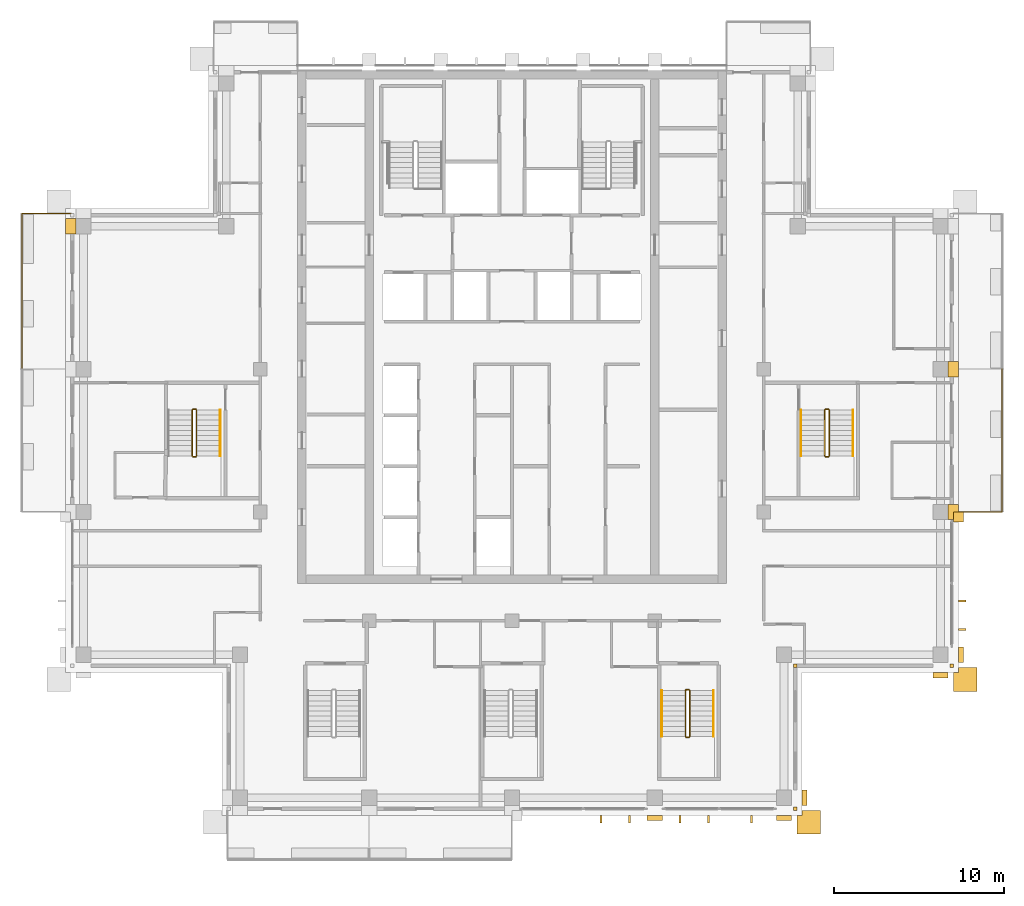
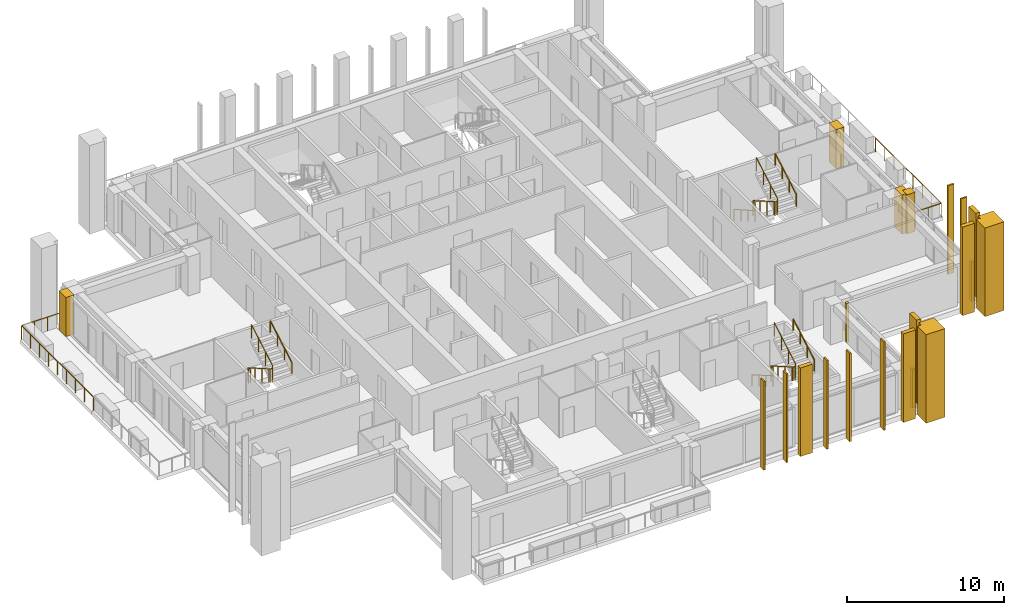
# One storey, part 14 of 16: 21 coverings, 10 railings.
"""IFC4 building model written with IfcOpenShell, lengths in metres."""

import ifcopenshell
import ifcopenshell.guid

model = None  # the IFC model being written
_history = None  # IfcOwnerHistory: only IFC2X3 demands one
_inside = {}  # id of a spatial element -> (the spatial element, [elements in it])
_under = {}  # id of a project, library or spatial element -> (it, [spatial elements below it])
_declared = {}  # id of a project -> (the project, [libraries it declares])
_typed = {}  # id of a type object -> (the type object, [elements of that type])
_made_of = {}  # id of a material, layer set ... -> (it, [elements and type objects made of it])


def new_model(schema):
    """Start an empty IFC model of exactly this schema.

    Asked for "IFC4X3", IfcOpenShell would pick the latest addendum, in which some entities
    have other attributes; the version numbers below select the first issue.
    IFC2X3 requires an IfcOwnerHistory on every rooted entity: one is made here for all.
    """
    global model, _history
    if schema == "IFC4X3":
        model = ifcopenshell.file(schema_version=(4, 3, 0, 0))
    else:
        model = ifcopenshell.file(schema=schema)
    _inside.clear()
    _under.clear()
    _declared.clear()
    _typed.clear()
    _made_of.clear()
    _history = None
    if model.schema == "IFC2X3":
        org = make("IfcOrganization", Name="unknown")
        user = make(
            "IfcPersonAndOrganization",
            ThePerson=make("IfcPerson", FamilyName="unknown"),
            TheOrganization=org,
        )
        app = make(
            "IfcApplication",
            ApplicationDeveloper=org,
            Version="unknown",
            ApplicationFullName="unknown",
            ApplicationIdentifier="unknown",
        )
        _history = make(
            "IfcOwnerHistory",
            OwningUser=user,
            OwningApplication=app,
            ChangeAction="ADDED",
            CreationDate=0,
        )
    return model


def make(cls, **values):
    """One entity of the class cls with the attributes given. An attribute that is None is left unset."""
    return model.create_entity(
        cls, **{name: value for name, value in values.items() if value is not None}
    )


def rooted(cls, **values):
    """An entity with a GlobalId (a new one), such as an element, a storey or a relation."""
    return make(cls, GlobalId=ifcopenshell.guid.new(), OwnerHistory=_history, **values)


def si_unit(unit_type, name, prefix=None):
    """IfcSIUnit, for example si_unit("LENGTHUNIT", "METRE", prefix="MILLI")."""
    return make("IfcSIUnit", UnitType=unit_type, Prefix=prefix, Name=name)


def assignment(units):
    """IfcUnitAssignment: the units of a project."""
    return None if units is None else make("IfcUnitAssignment", Units=units)


def point(xyz):
    """IfcCartesianPoint."""
    return None if xyz is None else make("IfcCartesianPoint", Coordinates=xyz)


def direction(xyz):
    """IfcDirection."""
    return None if xyz is None else make("IfcDirection", DirectionRatios=xyz)


def frame(location, z_axis=None, x_axis=None):
    """IfcAxis2Placement3D, a coordinate frame: its origin and axes. An axis left out is left unset."""
    return make(
        "IfcAxis2Placement3D",
        Location=point(location),
        Axis=direction(z_axis),
        RefDirection=direction(x_axis),
    )


def frame_2d(location, x_axis=None):
    """IfcAxis2Placement2D, a coordinate frame in the plane: its origin and x axis."""
    return make(
        "IfcAxis2Placement2D", Location=point(location), RefDirection=direction(x_axis)
    )


def origin():
    """The frame at (0, 0, 0) with its axes left unset."""
    return frame((0.0, 0.0, 0.0))


def origin_2d():
    """The frame at (0, 0) in the plane with its x axis left unset."""
    return frame_2d((0.0, 0.0))


def place(relative_to, where):
    """IfcLocalPlacement: puts the frame where relative to a parent placement (None: the world)."""
    return make(
        "IfcLocalPlacement", PlacementRelTo=relative_to, RelativePlacement=where
    )


def context(
    kind, dimensions, precision=None, world=None, true_north=None, identifier=None
):
    """IfcGeometricRepresentationContext, for example the 3D "Model" context."""
    return make(
        "IfcGeometricRepresentationContext",
        ContextIdentifier=identifier,
        ContextType=kind,
        CoordinateSpaceDimension=dimensions,
        Precision=precision,
        WorldCoordinateSystem=world,
        TrueNorth=true_north,
    )


def subcontext(parent, identifier, kind, view, scale=None):
    """IfcGeometricRepresentationSubContext, for example "Body" below "Model"."""
    return make(
        "IfcGeometricRepresentationSubContext",
        ContextIdentifier=identifier,
        ContextType=kind,
        ParentContext=parent,
        TargetScale=scale,
        TargetView=view,
    )


def project(units=None, contexts=None):
    """IfcProject with its units and contexts."""
    return rooted(
        "IfcProject",
        Name="project",
        RepresentationContexts=contexts,
        UnitsInContext=assignment(units),
    )


def spatial(cls, under=None, at=None, **own):
    """A site, building, storey or space (cls), placed at a placement, below another one or the project."""
    s = rooted(cls, ObjectPlacement=at, **own)
    if under is not None:
        _under.setdefault(under.id(), (under, []))[1].append(s)
    return s


def polyline(points):
    """IfcPolyline through the points."""
    return make("IfcPolyline", Points=[point(p) for p in points])


def profile(cls, at=None, kind="AREA", **sizes):
    """A parametric profile (cls). Its sizes go by their IFC names, for example OverallWidth=200.0."""
    return make(cls, ProfileType=kind, Position=at, **sizes)


def rectangle(**sizes):
    """IfcRectangleProfileDef."""
    return profile("IfcRectangleProfileDef", **sizes)


def outline(outer, holes=None, kind="AREA"):
    """IfcArbitraryClosedProfileDef: a profile drawn as a closed curve; with holes, ...WithVoids."""
    if holes is None:
        return make("IfcArbitraryClosedProfileDef", ProfileType=kind, OuterCurve=outer)
    return make(
        "IfcArbitraryProfileDefWithVoids",
        ProfileType=kind,
        OuterCurve=outer,
        InnerCurves=holes,
    )


def extrude(swept, where, along, depth):
    """IfcExtrudedAreaSolid: the profile swept, set in the frame where, extruded along a direction by depth."""
    return make(
        "IfcExtrudedAreaSolid",
        SweptArea=swept,
        Position=where,
        ExtrudedDirection=direction(along),
        Depth=depth,
    )


def shape(context_of_items, identifier, shape_type, items):
    """IfcShapeRepresentation: the items that make up one representation, for example the "Body"."""
    return make(
        "IfcShapeRepresentation",
        ContextOfItems=context_of_items,
        RepresentationIdentifier=identifier,
        RepresentationType=shape_type,
        Items=items,
    )


def material(Name=None, Category=None):
    """IfcMaterial."""
    return make("IfcMaterial", Name=Name, Category=Category)


def layer(
    of_material, thickness, ventilated=None, Name=None, Category=None, Priority=None
):
    """IfcMaterialLayer: one layer of a wall or slab, of a material (None: an air gap)."""
    return make(
        "IfcMaterialLayer",
        Material=of_material,
        LayerThickness=thickness,
        IsVentilated=ventilated,
        Name=Name,
        Category=Category,
        Priority=Priority,
    )


def layer_set(layers, Name=None):
    """IfcMaterialLayerSet."""
    return make("IfcMaterialLayerSet", MaterialLayers=layers, LayerSetName=Name)


def made_of(thing, what):
    """Note that an element or type object is made of a material, layer set ...; save() writes the relation."""
    if what is not None:
        _made_of.setdefault(what.id(), (what, []))[1].append(thing)
    return thing


def type_object(cls, material=None, **own):
    """A type object (cls), such as IfcWallType, which elements share."""
    return made_of(rooted(cls, **own), material)


def element(
    cls,
    number,
    at=None,
    inside=None,
    cuts=None,
    type_object=None,
    material=None,
    context=None,
    identifier="Body",
    shape_type=None,
    held_by="IfcProductDefinitionShape",
    body=None,
    shapes=None,
    **own,
):
    """One element of the class cls, such as IfcWall. Its Tag is "e" and its number.

    at: its placement. inside: the storey or other place that contains it. cuts: it is an
    opening in that element (IfcRelVoidsElement). A single representation is given by context,
    identifier, shape_type and body (its items); several are given by shapes. held_by: the class
    of the entity that holds the representations. save() writes the other relations.
    """
    e = rooted(cls, Tag="e%d" % number, ObjectPlacement=at, **own)
    if body is not None:
        shapes = [shape(context, identifier, shape_type, body)]
    if shapes is not None:
        e.Representation = make(held_by, Representations=shapes)
    if inside is not None:
        _inside.setdefault(inside.id(), (inside, []))[1].append(e)
    if cuts is not None:
        rooted(
            "IfcRelVoidsElement", RelatingBuildingElement=cuts, RelatedOpeningElement=e
        )
    if type_object is not None:
        _typed.setdefault(type_object.id(), (type_object, []))[1].append(e)
    return made_of(e, material)


def aggregate(whole, parts):
    """IfcRelAggregates: a whole, such as a stair, and the parts it consists of."""
    return rooted("IfcRelAggregates", RelatingObject=whole, RelatedObjects=parts)


def save(model, path):
    """Write the relations noted so far, then the file.

    IfcRelAggregates (storeys below a building ...), IfcRelContainedInSpatialStructure (elements
    in a storey), IfcRelDefinesByType, IfcRelAssociatesMaterial and IfcRelDeclares: one each for
    every whole, place, type object, material and project.
    """
    for whole, parts in _under.values():
        aggregate(whole, parts)
    for where, things in _inside.values():
        rooted(
            "IfcRelContainedInSpatialStructure",
            RelatedElements=things,
            RelatingStructure=where,
        )
    for kind, things in _typed.values():
        rooted("IfcRelDefinesByType", RelatedObjects=things, RelatingType=kind)
    for what, things in _made_of.values():
        rooted("IfcRelAssociatesMaterial", RelatedObjects=things, RelatingMaterial=what)
    for by, libraries in _declared.values():
        rooted("IfcRelDeclares", RelatingContext=by, RelatedDefinitions=libraries)
    model.write(path)


model = new_model("IFC4")

# Units and contexts
model_context = context("Model", 3, precision=1e-05, world=origin(), true_north=direction((0.0, 1.0)))
body_context = subcontext(model_context, "Body", "Model", "MODEL_VIEW")
ifc_project = project(units=[si_unit("LENGTHUNIT", "METRE"), si_unit("AREAUNIT", "SQUARE_METRE"), si_unit("VOLUMEUNIT", "CUBIC_METRE"), si_unit("PLANEANGLEUNIT", "RADIAN"), si_unit("MASSUNIT", "GRAM", prefix="KILO")], contexts=[model_context])

# Site, building, storey
site_placement = place(None, origin())
site = spatial("IfcSite", under=ifc_project, at=site_placement, CompositionType="ELEMENT")
building_placement = place(site_placement, origin())
building = spatial("IfcBuilding", under=site, at=building_placement, Name="Vermilion Ogive Tower", CompositionType="ELEMENT")
storey_placement = place(building_placement, frame((0.0, 0.0, 247.60009765625)))
storey = spatial("IfcBuildingStorey", under=building, at=storey_placement, Name="L65", CompositionType="ELEMENT", Elevation=247.60009765625)

# Railings
ifc_material_1 = material(Name="Stainless steel and glass", Category="steel")
railing_type_1 = type_object("IfcRailingType", Name="Balcony guard", PredefinedType="GUARDRAIL", material=ifc_material_1)
railing_1_placement = place(storey_placement, frame((25.949951171875, -4.199951171875, -0.0400390625)))
element("IfcRailing", 1, at=railing_1_placement, inside=storey, type_object=railing_type_1, Name="Guard E02", PredefinedType="GUARDRAIL", context=body_context, shape_type="SweptSolid", body=[
    extrude(rectangle(XDim=0.048095703125, YDim=0.048095703125, at=origin_2d()), frame((0.0, 0.0, 1.076171875), z_axis=(1.0, 0.0, 0.0), x_axis=(0.0, 1.0, 0.0)), (0.0, 0.0, 1.0), 2.86376953125),
    extrude(rectangle(XDim=0.048095703125, YDim=0.048095703125, at=origin_2d()), frame((2.86376953125, 0.0, 1.076171875), z_axis=(0.0, 1.0, 0.0), x_axis=(-1.0, 0.0, 0.0)), (0.0, 0.0, 1.0), 8.39990234375),
    extrude(rectangle(XDim=0.0419921875, YDim=0.0419921875, at=origin_2d()), origin(), (0.0, 0.0, 1.0), 1.052001953125),
    extrude(rectangle(XDim=0.0419921875, YDim=0.0419921875, at=origin_2d()), frame((0.95458984375, 0.0, 0.0)), (0.0, 0.0, 1.0), 1.052001953125),
    extrude(rectangle(XDim=0.0419921875, YDim=0.0419921875, at=origin_2d()), frame((1.9091796875, 0.0, 0.0)), (0.0, 0.0, 1.0), 1.052001953125),
    extrude(rectangle(XDim=0.0419921875, YDim=0.0419921875, at=origin_2d()), frame((2.86376953125, 0.0, 0.0)), (0.0, 0.0, 1.0), 1.052001953125),
    extrude(rectangle(XDim=0.0419921875, YDim=0.0419921875, at=origin_2d()), frame((2.86376953125, 1.199951171875, 0.0)), (0.0, 0.0, 1.0), 1.052001953125),
    extrude(rectangle(XDim=0.0419921875, YDim=0.0419921875, at=origin_2d()), frame((2.86376953125, 2.39990234375, 0.0)), (0.0, 0.0, 1.0), 1.052001953125),
    extrude(rectangle(XDim=0.0419921875, YDim=0.0419921875, at=origin_2d()), frame((2.86376953125, 3.599853515625, 0.0)), (0.0, 0.0, 1.0), 1.052001953125),
    extrude(rectangle(XDim=0.0419921875, YDim=0.0419921875, at=origin_2d()), frame((2.86376953125, 4.800048828125, 0.0)), (0.0, 0.0, 1.0), 1.052001953125),
    extrude(rectangle(XDim=0.0419921875, YDim=0.0419921875, at=origin_2d()), frame((2.86376953125, 6.0, 0.0)), (0.0, 0.0, 1.0), 1.052001953125),
    extrude(rectangle(XDim=0.0419921875, YDim=0.0419921875, at=origin_2d()), frame((2.86376953125, 7.199951171875, 0.0)), (0.0, 0.0, 1.0), 1.052001953125),
    extrude(rectangle(XDim=0.0419921875, YDim=0.0419921875, at=origin_2d()), frame((2.86376953125, 8.39990234375, 0.0)), (0.0, 0.0, 1.0), 1.052001953125),
])
railing_2_placement = place(storey_placement, frame((-25.949951171875, 13.35009765625, -0.0400390625)))
element("IfcRailing", 2, at=railing_2_placement, inside=storey, type_object=railing_type_1, Name="Guard W01", PredefinedType="GUARDRAIL", context=body_context, shape_type="SweptSolid", body=[
    extrude(rectangle(XDim=0.048095703125, YDim=0.048095703125, at=origin_2d()), frame((0.0, 0.0, 1.076171875), z_axis=(-1.0, 0.0, 0.0), x_axis=(0.0, -1.0, 0.0)), (0.0, 0.0, 1.0), 2.86376953125),
    extrude(rectangle(XDim=0.048095703125, YDim=0.048095703125, at=origin_2d()), frame((-2.86376953125, 0.0, 1.076171875), z_axis=(0.0, -1.0, 0.0), x_axis=(1.0, 0.0, 0.0)), (0.0, 0.0, 1.0), 9.150146484375),
    extrude(rectangle(XDim=0.0419921875, YDim=0.0419921875, at=origin_2d()), origin(), (0.0, 0.0, 1.0), 1.052001953125),
    extrude(rectangle(XDim=0.0419921875, YDim=0.0419921875, at=origin_2d()), frame((-0.95458984375, 0.0, 0.0)), (0.0, 0.0, 1.0), 1.052001953125),
    extrude(rectangle(XDim=0.0419921875, YDim=0.0419921875, at=origin_2d()), frame((-1.9091796875, 0.0, 0.0)), (0.0, 0.0, 1.0), 1.052001953125),
    extrude(rectangle(XDim=0.0419921875, YDim=0.0419921875, at=origin_2d()), frame((-2.86376953125, 0.0, 0.0)), (0.0, 0.0, 1.0), 1.052001953125),
    extrude(rectangle(XDim=0.0419921875, YDim=0.0419921875, at=origin_2d()), frame((-2.86376953125, -1.143798828125, 0.0)), (0.0, 0.0, 1.0), 1.052001953125),
    extrude(rectangle(XDim=0.0419921875, YDim=0.0419921875, at=origin_2d()), frame((-2.86376953125, -2.28759765625, 0.0)), (0.0, 0.0, 1.0), 1.052001953125),
    extrude(rectangle(XDim=0.0419921875, YDim=0.0419921875, at=origin_2d()), frame((-2.86376953125, -3.431396484375, 0.0)), (0.0, 0.0, 1.0), 1.052001953125),
    extrude(rectangle(XDim=0.0419921875, YDim=0.0419921875, at=origin_2d()), frame((-2.86376953125, -4.5751953125, 0.0)), (0.0, 0.0, 1.0), 1.052001953125),
    extrude(rectangle(XDim=0.0419921875, YDim=0.0419921875, at=origin_2d()), frame((-2.86376953125, -5.71875, 0.0)), (0.0, 0.0, 1.0), 1.052001953125),
    extrude(rectangle(XDim=0.0419921875, YDim=0.0419921875, at=origin_2d()), frame((-2.86376953125, -6.862548828125, 0.0)), (0.0, 0.0, 1.0), 1.052001953125),
    extrude(rectangle(XDim=0.0419921875, YDim=0.0419921875, at=origin_2d()), frame((-2.86376953125, -8.00634765625, 0.0)), (0.0, 0.0, 1.0), 1.052001953125),
    extrude(rectangle(XDim=0.0419921875, YDim=0.0419921875, at=origin_2d()), frame((-2.86376953125, -9.150146484375, 0.0)), (0.0, 0.0, 1.0), 1.052001953125),
])

# Coverings
ifc_material_2 = material(Name="Glazed ceramic screen")
ifc_layer = layer(ifc_material_2, 0.14990234375)
ifc_layer_set = layer_set([ifc_layer], Name="Ceramic solar screen fin")
covering_type_1 = type_object("IfcCoveringType", Name="Ceramic solar screen fin", PredefinedType="CLADDING", material=ifc_layer_set)
covering_1_placement = place(storey_placement, frame((0.0, 0.0, -0.400146484375)))
element("IfcCovering", 3, at=covering_1_placement, inside=storey, type_object=covering_type_1, Name="Solar screen blade S011", PredefinedType="CLADDING", context=body_context, shape_type="SweptSolid", body=[
    extrude(outline(polyline([(5.177490234375, -22.5), (5.297607421875, -22.5), (5.297607421875, -22.050048828125), (5.177490234375, -22.050048828125), (5.177490234375, -22.5)])), origin(), (0.0, 0.0, 1.0), 6.900146484375),
])
covering_2_placement = place(storey_placement, frame((0.0, 0.0, -0.400146484375)))
element("IfcCovering", 4, at=covering_2_placement, inside=storey, type_object=covering_type_1, Name="Solar screen blade S012", PredefinedType="CLADDING", context=body_context, shape_type="SweptSolid", body=[
    extrude(outline(polyline([(6.8525390625, -22.5), (6.972412109375, -22.5), (6.972412109375, -22.050048828125), (6.8525390625, -22.050048828125), (6.8525390625, -22.5)])), origin(), (0.0, 0.0, 1.0), 6.900146484375),
])
covering_3_placement = place(storey_placement, frame((0.0, 0.0, -0.400146484375)))
element("IfcCovering", 5, at=covering_3_placement, inside=storey, type_object=covering_type_1, Name="Solar screen blade S021", PredefinedType="CLADDING", context=body_context, shape_type="SweptSolid", body=[
    extrude(outline(polyline([(9.827392578125, -22.5), (9.947509765625, -22.5), (9.947509765625, -22.050048828125), (9.827392578125, -22.050048828125), (9.827392578125, -22.5)])), origin(), (0.0, 0.0, 1.0), 6.900146484375),
])
covering_4_placement = place(storey_placement, frame((0.0, 0.0, -0.400146484375)))
element("IfcCovering", 6, at=covering_4_placement, inside=storey, type_object=covering_type_1, Name="Solar screen blade S022", PredefinedType="CLADDING", context=body_context, shape_type="SweptSolid", body=[
    extrude(outline(polyline([(11.50244140625, -22.5), (11.62255859375, -22.5), (11.62255859375, -22.050048828125), (11.50244140625, -22.050048828125), (11.50244140625, -22.5)])), origin(), (0.0, 0.0, 1.0), 6.900146484375),
])
covering_5_placement = place(storey_placement, frame((0.0, 0.0, -0.400146484375)))
element("IfcCovering", 7, at=covering_5_placement, inside=storey, type_object=covering_type_1, Name="Solar screen blade S031", PredefinedType="CLADDING", context=body_context, shape_type="SweptSolid", body=[
    extrude(outline(polyline([(14.014892578125, -22.5), (14.135009765625, -22.5), (14.135009765625, -22.050048828125), (14.014892578125, -22.050048828125), (14.014892578125, -22.5)])), origin(), (0.0, 0.0, 1.0), 6.900146484375),
])
covering_6_placement = place(storey_placement, frame((0.0, 0.0, -0.400146484375)))
element("IfcCovering", 8, at=covering_6_placement, inside=storey, type_object=covering_type_1, Name="Solar screen blade E971", PredefinedType="CLADDING", context=body_context, shape_type="SweptSolid", body=[
    extrude(outline(polyline([(26.699951171875, -11.172607421875), (26.699951171875, -11.052490234375), (26.25, -11.052490234375), (26.25, -11.172607421875), (26.699951171875, -11.172607421875)])), origin(), (0.0, 0.0, 1.0), 6.900146484375),
])
covering_7_placement = place(storey_placement, frame((0.0, 0.0, -0.400146484375)))
element("IfcCovering", 9, at=covering_7_placement, inside=storey, type_object=covering_type_1, Name="Solar screen blade E972", PredefinedType="CLADDING", context=body_context, shape_type="SweptSolid", body=[
    extrude(outline(polyline([(26.699951171875, -9.49755859375), (26.699951171875, -9.37744140625), (26.25, -9.37744140625), (26.25, -9.49755859375), (26.699951171875, -9.49755859375)])), origin(), (0.0, 0.0, 1.0), 6.900146484375),
])

# Railings
ifc_material_3 = material(Name="Steel S355 painted", Category="steel")
railing_type_2 = type_object("IfcRailingType", Name="Stair guard 1100", PredefinedType="GUARDRAIL", material=ifc_material_3)
railing_3_placement = place(storey_placement, frame((10.39990234375, -14.64990234375, 0.0)))
element("IfcRailing", 10, at=railing_3_placement, inside=storey, type_object=railing_type_2, Name="L65 ST5 stair guard 4", PredefinedType="GUARDRAIL", context=body_context, shape_type="SweptSolid", body=[
    extrude(rectangle(XDim=0.048095703125, YDim=0.048095703125, at=origin_2d()), frame((0.0, 0.0, 1.076171875), z_axis=(-1.0, 0.0, 0.0), x_axis=(0.0, -1.0, 0.0)), (0.0, 0.0, 1.0), 0.14990234375),
    extrude(rectangle(XDim=0.048095703125, YDim=0.048095703125, at=origin_2d()), frame((-0.14990234375, 0.0, 1.076171875), z_axis=(-0.268603158521, -0.268603158521, 0.925043072762), x_axis=(0.707106781187, -0.707106781187, 0.0)), (0.0, 0.0, 1.0), 0.186279296875),
    extrude(rectangle(XDim=0.048095703125, YDim=0.048095703125, at=origin_2d()), frame((-0.199951171875, -0.050048828125, 1.24853515625), z_axis=(0.0, -0.866903762492, 0.498475542607), x_axis=(1.0, 0.0, 0.0)), (0.0, 0.0, 1.0), 3.114501953125),
    extrude(rectangle(XDim=0.048095703125, YDim=0.048095703125, at=origin_2d()), frame((-0.199951171875, -2.75, 2.80078125), z_axis=(0.707106781187, -0.707106781187, 0.0), x_axis=(0.707106781187, 0.707106781187, 0.0)), (0.0, 0.0, 1.0), 0.07080078125),
    extrude(rectangle(XDim=0.048095703125, YDim=0.048095703125, at=origin_2d()), frame((-0.14990234375, -2.800048828125, 2.80078125), z_axis=(1.0, 0.0, 0.0), x_axis=(0.0, 1.0, 0.0)), (0.0, 0.0, 1.0), 0.14990234375),
    extrude(rectangle(XDim=0.048095703125, YDim=0.048095703125, at=origin_2d()), frame((0.0, -2.800048828125, 2.80078125), z_axis=(0.268277960024, 0.268277960024, 0.925231793839), x_axis=(-0.707106781187, 0.707106781187, 0.0)), (0.0, 0.0, 1.0), 0.1865234375),
    extrude(rectangle(XDim=0.048095703125, YDim=0.048095703125, at=origin_2d()), frame((0.050048828125, -2.75, 2.9736328125), z_axis=(0.0, 0.866903762492, 0.498475542607), x_axis=(-1.0, 0.0, 0.0)), (0.0, 0.0, 1.0), 3.114501953125),
    extrude(rectangle(XDim=0.0419921875, YDim=0.0419921875, at=origin_2d()), origin(), (0.0, 0.0, 1.0), 1.052001953125),
    extrude(rectangle(XDim=0.0419921875, YDim=0.0419921875, at=origin_2d()), frame((-0.14990234375, 0.0, 0.0)), (0.0, 0.0, 1.0), 1.052001953125),
    extrude(rectangle(XDim=0.0419921875, YDim=0.0419921875, at=origin_2d()), frame((-0.199951171875, -0.050048828125, 0.17236328125)), (0.0, 0.0, 1.0), 1.052001953125),
    extrude(rectangle(XDim=0.0419921875, YDim=0.0419921875, at=origin_2d()), frame((-0.199951171875, -0.949951171875, 0.68994140625)), (0.0, 0.0, 1.0), 1.052001953125),
    extrude(rectangle(XDim=0.0419921875, YDim=0.0419921875, at=origin_2d()), frame((-0.199951171875, -1.85009765625, 1.207275390625)), (0.0, 0.0, 1.0), 1.052001953125),
    extrude(rectangle(XDim=0.0419921875, YDim=0.0419921875, at=origin_2d()), frame((-0.199951171875, -2.75, 1.724853515625)), (0.0, 0.0, 1.0), 1.052001953125),
    extrude(rectangle(XDim=0.0419921875, YDim=0.0419921875, at=origin_2d()), frame((-0.14990234375, -2.800048828125, 1.724853515625)), (0.0, 0.0, 1.0), 1.052001953125),
    extrude(rectangle(XDim=0.0419921875, YDim=0.0419921875, at=origin_2d()), frame((0.0, -2.800048828125, 1.724853515625)), (0.0, 0.0, 1.0), 1.052001953125),
    extrude(rectangle(XDim=0.0419921875, YDim=0.0419921875, at=origin_2d()), frame((0.050048828125, -2.75, 1.8974609375)), (0.0, 0.0, 1.0), 1.052001953125),
    extrude(rectangle(XDim=0.0419921875, YDim=0.0419921875, at=origin_2d()), frame((0.050048828125, -1.85009765625, 2.4150390625)), (0.0, 0.0, 1.0), 1.052001953125),
    extrude(rectangle(XDim=0.0419921875, YDim=0.0419921875, at=origin_2d()), frame((0.050048828125, -0.949951171875, 2.932373046875)), (0.0, 0.0, 1.0), 1.052001953125),
    extrude(rectangle(XDim=0.0419921875, YDim=0.0419921875, at=origin_2d()), frame((0.050048828125, -0.050048828125, 3.449951171875)), (0.0, 0.0, 1.0), 1.052001953125),
])
railing_4_placement = place(storey_placement, frame((18.60009765625, 1.85009765625, 0.0)))
element("IfcRailing", 11, at=railing_4_placement, inside=storey, type_object=railing_type_2, Name="L65 ST8 stair guard 4", PredefinedType="GUARDRAIL", context=body_context, shape_type="SweptSolid", body=[
    extrude(rectangle(XDim=0.048095703125, YDim=0.048095703125, at=origin_2d()), frame((0.0, 0.0, 1.076171875), z_axis=(-1.0, 0.0, 0.0), x_axis=(0.0, -1.0, 0.0)), (0.0, 0.0, 1.0), 0.150146484375),
    extrude(rectangle(XDim=0.048095703125, YDim=0.048095703125, at=origin_2d()), frame((-0.150146484375, 0.0, 1.076171875), z_axis=(-0.268603158521, -0.268603158521, 0.925043072762), x_axis=(0.707106781187, -0.707106781187, 0.0)), (0.0, 0.0, 1.0), 0.186279296875),
    extrude(rectangle(XDim=0.048095703125, YDim=0.048095703125, at=origin_2d()), frame((-0.2001953125, -0.050048828125, 1.24853515625), z_axis=(0.0, -0.866903762492, 0.498475542607), x_axis=(1.0, 0.0, 0.0)), (0.0, 0.0, 1.0), 3.114501953125),
    extrude(rectangle(XDim=0.048095703125, YDim=0.048095703125, at=origin_2d()), frame((-0.2001953125, -2.75, 2.80078125), z_axis=(0.707106781187, -0.707106781187, 0.0), x_axis=(0.707106781187, 0.707106781187, 0.0)), (0.0, 0.0, 1.0), 0.07080078125),
    extrude(rectangle(XDim=0.048095703125, YDim=0.048095703125, at=origin_2d()), frame((-0.150146484375, -2.800048828125, 2.80078125), z_axis=(1.0, 0.0, 0.0), x_axis=(0.0, 1.0, 0.0)), (0.0, 0.0, 1.0), 0.150146484375),
    extrude(rectangle(XDim=0.048095703125, YDim=0.048095703125, at=origin_2d()), frame((0.0, -2.800048828125, 2.80078125), z_axis=(0.267062837333, 0.268371968888, 0.925556009775), x_axis=(-0.708833529934, 0.705375805398, 0.0)), (0.0, 0.0, 1.0), 0.1865234375),
    extrude(rectangle(XDim=0.048095703125, YDim=0.048095703125, at=origin_2d()), frame((0.0498046875, -2.75, 2.9736328125), z_axis=(0.0, 0.866903762492, 0.498475542607), x_axis=(-1.0, 0.0, 0.0)), (0.0, 0.0, 1.0), 3.114501953125),
    extrude(rectangle(XDim=0.0419921875, YDim=0.0419921875, at=origin_2d()), origin(), (0.0, 0.0, 1.0), 1.052001953125),
    extrude(rectangle(XDim=0.0419921875, YDim=0.0419921875, at=origin_2d()), frame((-0.150146484375, 0.0, 0.0)), (0.0, 0.0, 1.0), 1.052001953125),
    extrude(rectangle(XDim=0.0419921875, YDim=0.0419921875, at=origin_2d()), frame((-0.2001953125, -0.050048828125, 0.17236328125)), (0.0, 0.0, 1.0), 1.052001953125),
    extrude(rectangle(XDim=0.0419921875, YDim=0.0419921875, at=origin_2d()), frame((-0.2001953125, -0.949951171875, 0.68994140625)), (0.0, 0.0, 1.0), 1.052001953125),
    extrude(rectangle(XDim=0.0419921875, YDim=0.0419921875, at=origin_2d()), frame((-0.2001953125, -1.85009765625, 1.207275390625)), (0.0, 0.0, 1.0), 1.052001953125),
    extrude(rectangle(XDim=0.0419921875, YDim=0.0419921875, at=origin_2d()), frame((-0.2001953125, -2.75, 1.724853515625)), (0.0, 0.0, 1.0), 1.052001953125),
    extrude(rectangle(XDim=0.0419921875, YDim=0.0419921875, at=origin_2d()), frame((-0.150146484375, -2.800048828125, 1.724853515625)), (0.0, 0.0, 1.0), 1.052001953125),
    extrude(rectangle(XDim=0.0419921875, YDim=0.0419921875, at=origin_2d()), frame((0.0, -2.800048828125, 1.724853515625)), (0.0, 0.0, 1.0), 1.052001953125),
    extrude(rectangle(XDim=0.0419921875, YDim=0.0419921875, at=origin_2d()), frame((0.0498046875, -2.75, 1.8974609375)), (0.0, 0.0, 1.0), 1.052001953125),
    extrude(rectangle(XDim=0.0419921875, YDim=0.0419921875, at=origin_2d()), frame((0.0498046875, -1.85009765625, 2.4150390625)), (0.0, 0.0, 1.0), 1.052001953125),
    extrude(rectangle(XDim=0.0419921875, YDim=0.0419921875, at=origin_2d()), frame((0.0498046875, -0.949951171875, 2.932373046875)), (0.0, 0.0, 1.0), 1.052001953125),
    extrude(rectangle(XDim=0.0419921875, YDim=0.0419921875, at=origin_2d()), frame((0.0498046875, -0.050048828125, 3.449951171875)), (0.0, 0.0, 1.0), 1.052001953125),
])
railing_5_placement = place(storey_placement, frame((-18.60009765625, 1.85009765625, 0.0)))
element("IfcRailing", 12, at=railing_5_placement, inside=storey, type_object=railing_type_2, Name="L65 ST9 stair guard 4", PredefinedType="GUARDRAIL", context=body_context, shape_type="SweptSolid", body=[
    extrude(rectangle(XDim=0.048095703125, YDim=0.048095703125, at=origin_2d()), frame((0.0, 0.0, 1.076171875), z_axis=(-1.0, 0.0, 0.0), x_axis=(0.0, -1.0, 0.0)), (0.0, 0.0, 1.0), 0.14990234375),
    extrude(rectangle(XDim=0.048095703125, YDim=0.048095703125, at=origin_2d()), frame((-0.14990234375, 0.0, 1.076171875), z_axis=(-0.268603158521, -0.268603158521, 0.925043072762), x_axis=(0.707106781187, -0.707106781187, 0.0)), (0.0, 0.0, 1.0), 0.186279296875),
    extrude(rectangle(XDim=0.048095703125, YDim=0.048095703125, at=origin_2d()), frame((-0.199951171875, -0.050048828125, 1.24853515625), z_axis=(0.0, -0.866903762492, 0.498475542607), x_axis=(1.0, 0.0, 0.0)), (0.0, 0.0, 1.0), 3.114501953125),
    extrude(rectangle(XDim=0.048095703125, YDim=0.048095703125, at=origin_2d()), frame((-0.199951171875, -2.75, 2.80078125), z_axis=(0.707106781187, -0.707106781187, 0.0), x_axis=(0.707106781187, 0.707106781187, 0.0)), (0.0, 0.0, 1.0), 0.07080078125),
    extrude(rectangle(XDim=0.048095703125, YDim=0.048095703125, at=origin_2d()), frame((-0.14990234375, -2.800048828125, 2.80078125), z_axis=(1.0, 0.0, 0.0), x_axis=(0.0, 1.0, 0.0)), (0.0, 0.0, 1.0), 0.14990234375),
    extrude(rectangle(XDim=0.048095703125, YDim=0.048095703125, at=origin_2d()), frame((0.0, -2.800048828125, 2.80078125), z_axis=(0.268277960024, 0.268277960024, 0.925231793839), x_axis=(-0.707106781187, 0.707106781187, 0.0)), (0.0, 0.0, 1.0), 0.1865234375),
    extrude(rectangle(XDim=0.048095703125, YDim=0.048095703125, at=origin_2d()), frame((0.050048828125, -2.75, 2.9736328125), z_axis=(0.0, 0.866903762492, 0.498475542607), x_axis=(-1.0, 0.0, 0.0)), (0.0, 0.0, 1.0), 3.114501953125),
    extrude(rectangle(XDim=0.0419921875, YDim=0.0419921875, at=origin_2d()), origin(), (0.0, 0.0, 1.0), 1.052001953125),
    extrude(rectangle(XDim=0.0419921875, YDim=0.0419921875, at=origin_2d()), frame((-0.14990234375, 0.0, 0.0)), (0.0, 0.0, 1.0), 1.052001953125),
    extrude(rectangle(XDim=0.0419921875, YDim=0.0419921875, at=origin_2d()), frame((-0.199951171875, -0.050048828125, 0.17236328125)), (0.0, 0.0, 1.0), 1.052001953125),
    extrude(rectangle(XDim=0.0419921875, YDim=0.0419921875, at=origin_2d()), frame((-0.199951171875, -0.949951171875, 0.68994140625)), (0.0, 0.0, 1.0), 1.052001953125),
    extrude(rectangle(XDim=0.0419921875, YDim=0.0419921875, at=origin_2d()), frame((-0.199951171875, -1.85009765625, 1.207275390625)), (0.0, 0.0, 1.0), 1.052001953125),
    extrude(rectangle(XDim=0.0419921875, YDim=0.0419921875, at=origin_2d()), frame((-0.199951171875, -2.75, 1.724853515625)), (0.0, 0.0, 1.0), 1.052001953125),
    extrude(rectangle(XDim=0.0419921875, YDim=0.0419921875, at=origin_2d()), frame((-0.14990234375, -2.800048828125, 1.724853515625)), (0.0, 0.0, 1.0), 1.052001953125),
    extrude(rectangle(XDim=0.0419921875, YDim=0.0419921875, at=origin_2d()), frame((0.0, -2.800048828125, 1.724853515625)), (0.0, 0.0, 1.0), 1.052001953125),
    extrude(rectangle(XDim=0.0419921875, YDim=0.0419921875, at=origin_2d()), frame((0.050048828125, -2.75, 1.8974609375)), (0.0, 0.0, 1.0), 1.052001953125),
    extrude(rectangle(XDim=0.0419921875, YDim=0.0419921875, at=origin_2d()), frame((0.050048828125, -1.85009765625, 2.4150390625)), (0.0, 0.0, 1.0), 1.052001953125),
    extrude(rectangle(XDim=0.0419921875, YDim=0.0419921875, at=origin_2d()), frame((0.050048828125, -0.949951171875, 2.932373046875)), (0.0, 0.0, 1.0), 1.052001953125),
    extrude(rectangle(XDim=0.0419921875, YDim=0.0419921875, at=origin_2d()), frame((0.050048828125, -0.050048828125, 3.449951171875)), (0.0, 0.0, 1.0), 1.052001953125),
])
ifc_material_4 = material(Name="Stainless steel", Category="steel")
railing_type_3 = type_object("IfcRailingType", Name="Stair handrail 900", PredefinedType="HANDRAIL", material=ifc_material_4)
railing_6_placement = place(storey_placement, frame((8.800048828125, -14.699951171875, 0.17236328125)))
element("IfcRailing", 13, at=railing_6_placement, inside=storey, type_object=railing_type_3, Name="L65 ST5 stair handrail 1", PredefinedType="HANDRAIL", context=body_context, shape_type="SweptSolid", body=[
    extrude(rectangle(XDim=0.048095703125, YDim=0.048095703125, at=origin_2d()), frame((0.0, 0.0, 0.8759765625), z_axis=(0.0, -0.866903762492, 0.498475542607), x_axis=(1.0, 0.0, 0.0)), (0.0, 0.0, 1.0), 3.114501953125),
    extrude(rectangle(XDim=0.0419921875, YDim=0.0419921875, at=origin_2d()), origin(), (0.0, 0.0, 1.0), 0.851806640625),
    extrude(rectangle(XDim=0.0419921875, YDim=0.0419921875, at=origin_2d()), frame((0.0, -0.89990234375, 0.517578125)), (0.0, 0.0, 1.0), 0.851806640625),
    extrude(rectangle(XDim=0.0419921875, YDim=0.0419921875, at=origin_2d()), frame((0.0, -1.800048828125, 1.034912109375)), (0.0, 0.0, 1.0), 0.851806640625),
    extrude(rectangle(XDim=0.0419921875, YDim=0.0419921875, at=origin_2d()), frame((0.0, -2.699951171875, 1.552490234375)), (0.0, 0.0, 1.0), 0.851806640625),
])
railing_7_placement = place(storey_placement, frame((11.85009765625, -17.39990234375, 1.8974609375)))
element("IfcRailing", 14, at=railing_7_placement, inside=storey, type_object=railing_type_3, Name="L65 ST5 stair handrail 2", PredefinedType="HANDRAIL", context=body_context, shape_type="SweptSolid", body=[
    extrude(rectangle(XDim=0.048095703125, YDim=0.048095703125, at=origin_2d()), frame((0.0, 0.0, 0.8759765625), z_axis=(0.0, 0.866903762492, 0.498475542607), x_axis=(-1.0, 0.0, 0.0)), (0.0, 0.0, 1.0), 3.114501953125),
    extrude(rectangle(XDim=0.0419921875, YDim=0.0419921875, at=origin_2d()), origin(), (0.0, 0.0, 1.0), 0.851806640625),
    extrude(rectangle(XDim=0.0419921875, YDim=0.0419921875, at=origin_2d()), frame((0.0, 0.89990234375, 0.517578125)), (0.0, 0.0, 1.0), 0.851806640625),
    extrude(rectangle(XDim=0.0419921875, YDim=0.0419921875, at=origin_2d()), frame((0.0, 1.800048828125, 1.034912109375)), (0.0, 0.0, 1.0), 0.851806640625),
    extrude(rectangle(XDim=0.0419921875, YDim=0.0419921875, at=origin_2d()), frame((0.0, 2.699951171875, 1.552490234375)), (0.0, 0.0, 1.0), 0.851806640625),
])
railing_8_placement = place(storey_placement, frame((17.0, 1.800048828125, 0.17236328125)))
element("IfcRailing", 15, at=railing_8_placement, inside=storey, type_object=railing_type_3, Name="L65 ST8 stair handrail 1", PredefinedType="HANDRAIL", context=body_context, shape_type="SweptSolid", body=[
    extrude(rectangle(XDim=0.048095703125, YDim=0.048095703125, at=origin_2d()), frame((0.0, 0.0, 0.8759765625), z_axis=(0.0, -0.866903762492, 0.498475542607), x_axis=(1.0, 0.0, 0.0)), (0.0, 0.0, 1.0), 3.114501953125),
    extrude(rectangle(XDim=0.0419921875, YDim=0.0419921875, at=origin_2d()), origin(), (0.0, 0.0, 1.0), 0.851806640625),
    extrude(rectangle(XDim=0.0419921875, YDim=0.0419921875, at=origin_2d()), frame((0.0, -0.89990234375, 0.517578125)), (0.0, 0.0, 1.0), 0.851806640625),
    extrude(rectangle(XDim=0.0419921875, YDim=0.0419921875, at=origin_2d()), frame((0.0, -1.800048828125, 1.034912109375)), (0.0, 0.0, 1.0), 0.851806640625),
    extrude(rectangle(XDim=0.0419921875, YDim=0.0419921875, at=origin_2d()), frame((0.0, -2.699951171875, 1.552490234375)), (0.0, 0.0, 1.0), 0.851806640625),
])
for number, where, name in (
    (16, (20.050048828125, -0.89990234375, 1.8974609375), "L65 ST8 stair handrail 2"),
    (17, (-17.14990234375, -0.89990234375, 1.8974609375), "L65 ST9 stair handrail 2"),
):
    element("IfcRailing", number, at=place(storey_placement, frame(where)), inside=storey, type_object=railing_type_3, Name=name, PredefinedType="HANDRAIL", context=body_context, shape_type="SweptSolid", body=[
        extrude(rectangle(XDim=0.048095703125, YDim=0.048095703125, at=origin_2d()), frame((0.0, 0.0, 0.8759765625), z_axis=(0.0, 0.866903762492, 0.498475542607), x_axis=(-1.0, 0.0, 0.0)), (0.0, 0.0, 1.0), 3.114501953125),
        extrude(rectangle(XDim=0.0419921875, YDim=0.0419921875, at=origin_2d()), origin(), (0.0, 0.0, 1.0), 0.851806640625),
        extrude(rectangle(XDim=0.0419921875, YDim=0.0419921875, at=origin_2d()), frame((0.0, 0.89990234375, 0.517578125)), (0.0, 0.0, 1.0), 0.851806640625),
        extrude(rectangle(XDim=0.0419921875, YDim=0.0419921875, at=origin_2d()), frame((0.0, 1.800048828125, 1.034912109375)), (0.0, 0.0, 1.0), 0.851806640625),
        extrude(rectangle(XDim=0.0419921875, YDim=0.0419921875, at=origin_2d()), frame((0.0, 2.699951171875, 1.552490234375)), (0.0, 0.0, 1.0), 0.851806640625),
    ])

# Coverings
ifc_material_5 = material(Name="Stone cladding", Category="masonry")
covering_type_2 = type_object("IfcCoveringType", Name="Stone corner buttress", PredefinedType="CLADDING", material=ifc_material_5)
covering_8_placement = place(storey_placement, origin())
element("IfcCovering", 18, at=covering_8_placement, inside=storey, type_object=covering_type_2, Name="Stone crease pier EK", PredefinedType="CLADDING", context=body_context, shape_type="SweptSolid", body=[
    extrude(outline(polyline([(26.550048828125, -4.800048828125), (26.550048828125, -4.199951171875), (25.949951171875, -4.199951171875), (25.949951171875, -4.800048828125), (26.550048828125, -4.800048828125)])), origin(), (0.0, 0.0, 1.0), 3.0498046875),
])
covering_9_placement = place(storey_placement, frame((0.0, 0.0, -0.400146484375)))
element("IfcCovering", 19, at=covering_9_placement, inside=storey, type_object=covering_type_2, Name="Stone corner buttress X11", PredefinedType="CLADDING", context=body_context, shape_type="SweptSolid", body=[
    extrude(outline(polyline([(16.75, -22.050048828125), (17.050048828125, -22.050048828125), (17.050048828125, -21.75), (18.14990234375, -21.75), (18.14990234375, -23.14990234375), (16.75, -23.14990234375), (16.75, -22.050048828125)])), origin(), (0.0, 0.0, 1.0), 6.900146484375),
])
covering_10_placement = place(storey_placement, frame((0.0, 0.0, -0.400146484375)))
element("IfcCovering", 20, at=covering_10_placement, inside=storey, type_object=covering_type_2, Name="Stone corner buttress E1", PredefinedType="CLADDING", context=body_context, shape_type="SweptSolid", body=[
    extrude(outline(polyline([(25.949951171875, -13.64990234375), (26.25, -13.64990234375), (26.25, -13.35009765625), (27.35009765625, -13.35009765625), (27.35009765625, -14.75), (25.949951171875, -14.75), (25.949951171875, -13.64990234375)])), origin(), (0.0, 0.0, 1.0), 6.900146484375),
])
ifc_material_6 = material(Name="Stone cladding", Category="masonry")
covering_type_3 = type_object("IfcCoveringType", Name="Stone pier", PredefinedType="CLADDING", material=ifc_material_6)
covering_11_placement = place(storey_placement, origin())
element("IfcCovering", 21, at=covering_11_placement, inside=storey, type_object=covering_type_3, Name="Stone corner pier SE1", PredefinedType="CLADDING", context=body_context, shape_type="SweptSolid", body=[
    extrude(outline(polyline([(16.550048828125, -21.550048828125), (16.75, -21.550048828125), (16.75, -21.75), (16.550048828125, -21.75), (16.550048828125, -21.550048828125)])), origin(), (0.0, 0.0, 1.0), 3.0498046875),
])
covering_12_placement = place(storey_placement, origin())
element("IfcCovering", 22, at=covering_12_placement, inside=storey, type_object=covering_type_3, Name="Stone corner pier X1E1", PredefinedType="CLADDING", context=body_context, shape_type="SweptSolid", body=[
    extrude(outline(polyline([(16.550048828125, -13.14990234375), (16.75, -13.14990234375), (16.75, -13.35009765625), (16.550048828125, -13.35009765625), (16.550048828125, -13.14990234375)])), origin(), (0.0, 0.0, 1.0), 3.0498046875),
])
covering_13_placement = place(storey_placement, origin())
element("IfcCovering", 23, at=covering_13_placement, inside=storey, type_object=covering_type_3, Name="Stone corner pier X2E1", PredefinedType="CLADDING", context=body_context, shape_type="SweptSolid", body=[
    extrude(outline(polyline([(25.75, -13.14990234375), (25.949951171875, -13.14990234375), (25.949951171875, -13.35009765625), (25.75, -13.35009765625), (25.75, -13.14990234375)])), origin(), (0.0, 0.0, 1.0), 3.0498046875),
])
covering_14_placement = place(storey_placement, frame((0.0, 0.0, -0.400146484375)))
element("IfcCovering", 24, at=covering_14_placement, inside=storey, type_object=covering_type_3, Name="Stone pier P+0084-210", PredefinedType="CLADDING", context=body_context, shape_type="SweptSolid", body=[
    extrude(outline(polyline([(8.85009765625, -22.35009765625), (7.949951171875, -22.35009765625), (7.949951171875, -22.050048828125), (8.85009765625, -22.050048828125), (8.85009765625, -22.35009765625)])), origin(), (0.0, 0.0, 1.0), 6.900146484375),
])
covering_15_placement = place(storey_placement, frame((0.0, 0.0, -0.400146484375)))
element("IfcCovering", 25, at=covering_15_placement, inside=storey, type_object=covering_type_3, Name="Stone pier P+0160-210S", PredefinedType="CLADDING", context=body_context, shape_type="SweptSolid", body=[
    extrude(outline(polyline([(16.449951171875, -22.35009765625), (15.550048828125, -22.35009765625), (15.550048828125, -22.050048828125), (16.449951171875, -22.050048828125), (16.449951171875, -22.35009765625)])), origin(), (0.0, 0.0, 1.0), 6.900146484375),
])
covering_16_placement = place(storey_placement, frame((0.0, 0.0, -0.400146484375)))
element("IfcCovering", 26, at=covering_16_placement, inside=storey, type_object=covering_type_3, Name="Stone pier P+0160-210X1", PredefinedType="CLADDING", context=body_context, shape_type="SweptSolid", body=[
    extrude(outline(polyline([(17.35009765625, -21.449951171875), (17.050048828125, -21.449951171875), (17.050048828125, -20.550048828125), (17.35009765625, -20.550048828125), (17.35009765625, -21.449951171875)])), origin(), (0.0, 0.0, 1.0), 6.900146484375),
])
covering_17_placement = place(storey_placement, frame((0.0, 0.0, -0.400146484375)))
element("IfcCovering", 27, at=covering_17_placement, inside=storey, type_object=covering_type_3, Name="Stone pier P+0252-126X2", PredefinedType="CLADDING", context=body_context, shape_type="SweptSolid", body=[
    extrude(outline(polyline([(25.64990234375, -13.949951171875), (24.75, -13.949951171875), (24.75, -13.64990234375), (25.64990234375, -13.64990234375), (25.64990234375, -13.949951171875)])), origin(), (0.0, 0.0, 1.0), 6.900146484375),
])
covering_18_placement = place(storey_placement, frame((0.0, 0.0, -0.400146484375)))
element("IfcCovering", 28, at=covering_18_placement, inside=storey, type_object=covering_type_3, Name="Stone pier P+0252-126E", PredefinedType="CLADDING", context=body_context, shape_type="SweptSolid", body=[
    extrude(outline(polyline([(26.550048828125, -13.050048828125), (26.25, -13.050048828125), (26.25, -12.14990234375), (26.550048828125, -12.14990234375), (26.550048828125, -13.050048828125)])), origin(), (0.0, 0.0, 1.0), 6.900146484375),
])
covering_19_placement = place(storey_placement, origin())
element("IfcCovering", 29, at=covering_19_placement, inside=storey, type_object=covering_type_3, Name="Stone pier P+0252+042", PredefinedType="CLADDING", context=body_context, shape_type="SweptSolid", body=[
    extrude(outline(polyline([(26.25, 4.64990234375), (26.25, 3.75), (25.64990234375, 3.75), (25.64990234375, 4.64990234375), (26.25, 4.64990234375)])), origin(), (0.0, 0.0, 1.0), 3.0498046875),
])
covering_20_placement = place(storey_placement, origin())
element("IfcCovering", 30, at=covering_20_placement, inside=storey, type_object=covering_type_3, Name="Stone pier P+0252-042", PredefinedType="CLADDING", context=body_context, shape_type="SweptSolid", body=[
    extrude(outline(polyline([(26.25, -3.75), (26.25, -4.199951171875), (25.949951171875, -4.199951171875), (25.949951171875, -4.64990234375), (25.64990234375, -4.64990234375), (25.64990234375, -3.75), (26.25, -3.75)])), origin(), (0.0, 0.0, 1.0), 3.0498046875),
])
covering_21_placement = place(storey_placement, origin())
element("IfcCovering", 31, at=covering_21_placement, inside=storey, type_object=covering_type_3, Name="Stone pier P-0252+126W", PredefinedType="CLADDING", context=body_context, shape_type="SweptSolid", body=[
    extrude(outline(polyline([(-26.25, 13.050048828125), (-25.64990234375, 13.050048828125), (-25.64990234375, 12.14990234375), (-26.25, 12.14990234375), (-26.25, 13.050048828125)])), origin(), (0.0, 0.0, 1.0), 3.0498046875),
])

save(model, "model.ifc")
